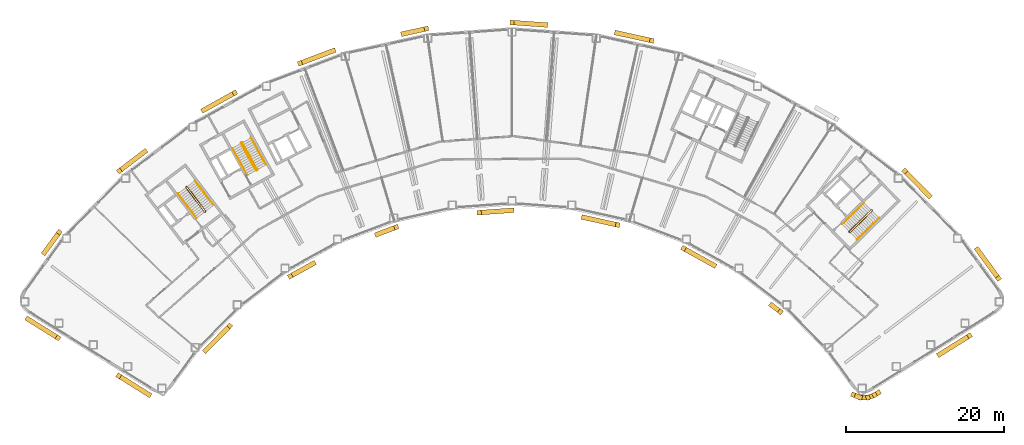
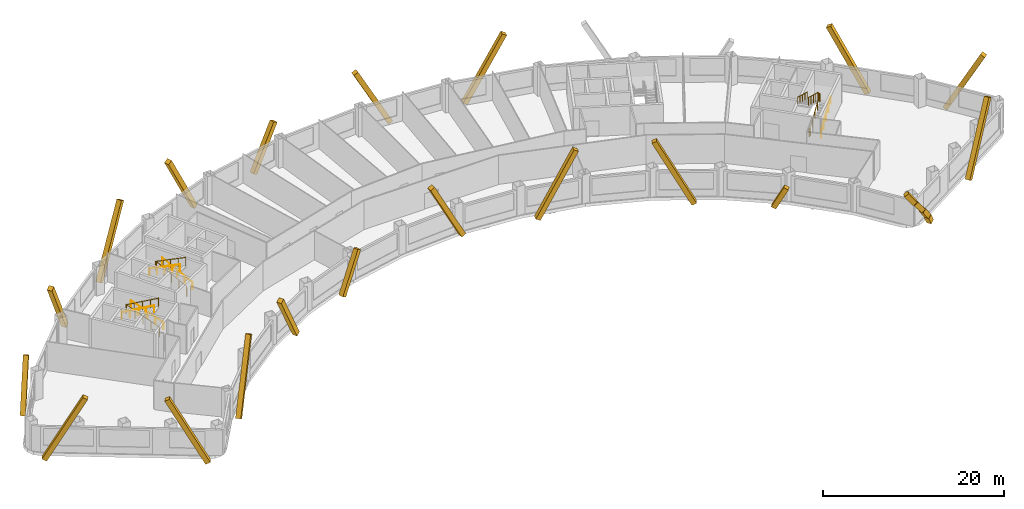
# One storey, part 10 of 11: 23 coverings, 9 railings.
"""IFC4 building model written with IfcOpenShell, lengths in metres."""

from ifc_helpers import new_model, si_unit, direction, frame, origin, origin_2d, place, context, subcontext, project, spatial, rectangle, circle, extrude, material, material_profile, profile_set, type_object, element, save


model = new_model("IFC4")

# Units and contexts
model_context = context("Model", 3, precision=1e-05, world=origin(), true_north=direction((0.0, 1.0)))
body_context = subcontext(model_context, "Body", "Model", "MODEL_VIEW")
ifc_project = project(units=[si_unit("LENGTHUNIT", "METRE"), si_unit("AREAUNIT", "SQUARE_METRE"), si_unit("VOLUMEUNIT", "CUBIC_METRE"), si_unit("PLANEANGLEUNIT", "RADIAN"), si_unit("MASSUNIT", "GRAM", prefix="KILO")], contexts=[model_context])

# Site, building, storey
site_placement = place(None, origin())
site = spatial("IfcSite", under=ifc_project, at=site_placement, CompositionType="ELEMENT")
building_placement = place(site_placement, origin())
building = spatial("IfcBuilding", under=site, at=building_placement, Name="Tuul Gate Civic Tower", CompositionType="ELEMENT")
storey_placement = place(building_placement, frame((0.0, 0.0, 138.199951171875)))
storey = spatial("IfcBuildingStorey", under=building, at=storey_placement, Name="Level 31", CompositionType="ELEMENT", Elevation=138.199951171875)

# Railings
ifc_material_1 = material(Name="Painted steel", Category="steel")
railing_type_1 = type_object("IfcRailingType", Name="Stair guard", PredefinedType="GUARDRAIL", material=ifc_material_1)
railing_1_placement = place(storey_placement, frame((-33.382080078125, -13.515380859375, 0.0)))
element("IfcRailing", 1, at=railing_1_placement, inside=storey, type_object=railing_type_1, Name="Level 31 ST-1 stair guard 1", PredefinedType="GUARDRAIL", context=body_context, shape_type="SweptSolid", body=[
    extrude(circle(Radius=0.02392578125, at=origin_2d()), frame((0.0, 0.0, 1.076171875), z_axis=(-0.795879841968, -0.605454603706, 0.0), x_axis=(0.605454603706, -0.795879841968, 0.0)), (0.0, 0.0, 1.0), 0.10009765625),
    extrude(circle(Radius=0.02392578125, at=origin_2d()), frame((-0.07958984375, -0.060546875, 1.076171875), z_axis=(0.408676696321, 0.599019267211, 0.688592241747), x_axis=(-0.826063974707, 0.563576356576, 0.0)), (0.0, 0.0, 1.0), 0.218017578125),
    extrude(circle(Radius=0.02392578125, at=origin_2d()), frame((0.009521484375, 0.070068359375, 1.22607421875), z_axis=(-0.541824460341, 0.711645023348, 0.447199748346), x_axis=(-0.795637165283, -0.60577347352, 0.0)), (0.0, 0.0, 1.0), 4.3603515625),
    extrude(circle(Radius=0.02392578125, at=origin_2d()), frame((-2.35302734375, 3.173095703125, 3.17626953125), z_axis=(-0.990893089246, 0.134650977284, 0.0), x_axis=(-0.134650977284, -0.990893089246, 0.0)), (0.0, 0.0, 1.0), 0.07080078125),
    extrude(circle(Radius=0.02392578125, at=origin_2d()), frame((-2.423095703125, 3.1826171875, 3.17626953125), z_axis=(-0.793802879778, -0.60817512943, 0.0), x_axis=(0.60817512943, -0.793802879778, 0.0)), (0.0, 0.0, 1.0), 0.099853515625),
    extrude(circle(Radius=0.02392578125, at=origin_2d()), frame((-2.50244140625, 3.121826171875, 3.17626953125), z_axis=(-0.057447065493, -0.422751481959, 0.904423031091), x_axis=(0.990893089246, -0.134650977284, 0.0)), (0.0, 0.0, 1.0), 0.165771484375),
    extrude(circle(Radius=0.02392578125, at=origin_2d()), frame((-2.511962890625, 3.0517578125, 3.326171875), z_axis=(0.541806494602, -0.71163897684, 0.447231136047), x_axis=(0.795644365679, 0.605764016233, 0.0)), (0.0, 0.0, 1.0), 4.360107421875),
    extrude(circle(Radius=0.02099609375, at=origin_2d()), origin(), (0.0, 0.0, 1.0), 1.052001953125),
    extrude(circle(Radius=0.02099609375, at=origin_2d()), frame((-0.07958984375, -0.060546875, 0.0)), (0.0, 0.0, 1.0), 1.052001953125),
    extrude(circle(Radius=0.02099609375, at=origin_2d()), frame((0.009521484375, 0.070068359375, 0.150146484375)), (0.0, 0.0, 1.0), 1.052001953125),
    extrude(circle(Radius=0.02099609375, at=origin_2d()), frame((-0.5810546875, 0.845703125, 0.6376953125)), (0.0, 0.0, 1.0), 1.052001953125),
    extrude(circle(Radius=0.02099609375, at=origin_2d()), frame((-1.171875, 1.62158203125, 1.125)), (0.0, 0.0, 1.0), 1.052001953125),
    extrude(circle(Radius=0.02099609375, at=origin_2d()), frame((-1.762451171875, 2.3974609375, 1.612548828125)), (0.0, 0.0, 1.0), 1.052001953125),
    extrude(circle(Radius=0.02099609375, at=origin_2d()), frame((-2.35302734375, 3.173095703125, 2.10009765625)), (0.0, 0.0, 1.0), 1.052001953125),
    extrude(circle(Radius=0.02099609375, at=origin_2d()), frame((-2.423095703125, 3.1826171875, 2.10009765625)), (0.0, 0.0, 1.0), 1.052001953125),
    extrude(circle(Radius=0.02099609375, at=origin_2d()), frame((-2.50244140625, 3.121826171875, 2.10009765625)), (0.0, 0.0, 1.0), 1.052001953125),
    extrude(circle(Radius=0.02099609375, at=origin_2d()), frame((-2.511962890625, 3.0517578125, 2.25)), (0.0, 0.0, 1.0), 1.052001953125),
    extrude(circle(Radius=0.02099609375, at=origin_2d()), frame((-1.92138671875, 2.276123046875, 2.737548828125)), (0.0, 0.0, 1.0), 1.052001953125),
    extrude(circle(Radius=0.02099609375, at=origin_2d()), frame((-1.330810546875, 1.50048828125, 3.22509765625)), (0.0, 0.0, 1.0), 1.052001953125),
    extrude(circle(Radius=0.02099609375, at=origin_2d()), frame((-0.740234375, 0.724609375, 3.71240234375)), (0.0, 0.0, 1.0), 1.052001953125),
    extrude(circle(Radius=0.02099609375, at=origin_2d()), frame((-0.149658203125, -0.051025390625, 4.199951171875)), (0.0, 0.0, 1.0), 1.052001953125),
])
railing_2_placement = place(storey_placement, frame((-26.857666015625, -8.247314453125, 0.0)))
element("IfcRailing", 2, at=railing_2_placement, inside=storey, type_object=railing_type_1, Name="Level 31 ST-2 stair guard 1", PredefinedType="GUARDRAIL", context=body_context, shape_type="SweptSolid", body=[
    extrude(circle(Radius=0.02392578125, at=origin_2d()), frame((0.0, 0.0, 1.076171875), z_axis=(-0.874616555828, -0.48481530532, 0.0), x_axis=(0.48481530532, -0.874616555828, 0.0)), (0.0, 0.0, 1.0), 0.10009765625),
    extrude(circle(Radius=0.02392578125, at=origin_2d()), frame((-0.087646484375, -0.048583984375, 1.076171875), z_axis=(0.490435707169, 0.534104639999, 0.688625479244), x_axis=(-0.736576986774, 0.676353711126, 0.0)), (0.0, 0.0, 1.0), 0.218017578125),
    extrude(circle(Radius=0.02392578125, at=origin_2d()), frame((0.019287109375, 0.06787109375, 1.22607421875), z_axis=(-0.43354991378, 0.782327185242, 0.447212083348), x_axis=(-0.874667644053, -0.484723129681, 0.0)), (0.0, 0.0, 1.0), 4.3603515625),
    extrude(circle(Radius=0.02392578125, at=origin_2d()), frame((-1.87109375, 3.47900390625, 3.17626953125), z_axis=(-0.961263487578, 0.275631107549, 0.0), x_axis=(-0.275631107549, -0.961263487578, 0.0)), (0.0, 0.0, 1.0), 0.07080078125),
    extrude(circle(Radius=0.02392578125, at=origin_2d()), frame((-1.939208984375, 3.49853515625, 3.17626953125), z_axis=(-0.874042088414, -0.485850211157, 0.0), x_axis=(0.485850211157, -0.874042088414, 0.0)), (0.0, 0.0, 1.0), 0.10009765625),
    extrude(circle(Radius=0.02392578125, at=origin_2d()), frame((-2.026611328125, 3.449951171875, 3.17626953125), z_axis=(-0.117866478395, -0.409586012422, 0.90462522168), x_axis=(0.961000426733, -0.276546885391, 0.0)), (0.0, 0.0, 1.0), 0.165771484375),
    extrude(circle(Radius=0.02392578125, at=origin_2d()), frame((-2.046142578125, 3.382080078125, 3.326171875), z_axis=(0.433595379963, -0.782308193291, 0.447201226726), x_axis=(0.874641102302, 0.484771020343, 0.0)), (0.0, 0.0, 1.0), 4.3603515625),
    extrude(circle(Radius=0.02099609375, at=origin_2d()), origin(), (0.0, 0.0, 1.0), 1.052001953125),
    extrude(circle(Radius=0.02099609375, at=origin_2d()), frame((-0.087646484375, -0.048583984375, 0.0)), (0.0, 0.0, 1.0), 1.052001953125),
    extrude(circle(Radius=0.02099609375, at=origin_2d()), frame((0.019287109375, 0.06787109375, 0.150146484375)), (0.0, 0.0, 1.0), 1.052001953125),
    extrude(circle(Radius=0.02099609375, at=origin_2d()), frame((-0.453369140625, 0.920654296875, 0.6376953125)), (0.0, 0.0, 1.0), 1.052001953125),
    extrude(circle(Radius=0.02099609375, at=origin_2d()), frame((-0.92578125, 1.7734375, 1.125)), (0.0, 0.0, 1.0), 1.052001953125),
    extrude(circle(Radius=0.02099609375, at=origin_2d()), frame((-1.3984375, 2.626220703125, 1.612548828125)), (0.0, 0.0, 1.0), 1.052001953125),
    extrude(circle(Radius=0.02099609375, at=origin_2d()), frame((-1.87109375, 3.47900390625, 2.10009765625)), (0.0, 0.0, 1.0), 1.052001953125),
    extrude(circle(Radius=0.02099609375, at=origin_2d()), frame((-1.939208984375, 3.49853515625, 2.10009765625)), (0.0, 0.0, 1.0), 1.052001953125),
    extrude(circle(Radius=0.02099609375, at=origin_2d()), frame((-2.026611328125, 3.449951171875, 2.10009765625)), (0.0, 0.0, 1.0), 1.052001953125),
    extrude(circle(Radius=0.02099609375, at=origin_2d()), frame((-2.046142578125, 3.382080078125, 2.25)), (0.0, 0.0, 1.0), 1.052001953125),
    extrude(circle(Radius=0.02099609375, at=origin_2d()), frame((-1.573486328125, 2.529296875, 2.737548828125)), (0.0, 0.0, 1.0), 1.052001953125),
    extrude(circle(Radius=0.02099609375, at=origin_2d()), frame((-1.100830078125, 1.676513671875, 3.22509765625)), (0.0, 0.0, 1.0), 1.052001953125),
    extrude(circle(Radius=0.02099609375, at=origin_2d()), frame((-0.628173828125, 0.82373046875, 3.71240234375)), (0.0, 0.0, 1.0), 1.052001953125),
    extrude(circle(Radius=0.02099609375, at=origin_2d()), frame((-0.155517578125, -0.029052734375, 4.199951171875)), (0.0, 0.0, 1.0), 1.052001953125),
])
railing_3_placement = place(storey_placement, frame((48.10546875, -16.134765625, 0.0)))
element("IfcRailing", 3, at=railing_3_placement, inside=storey, type_object=railing_type_1, Name="Level 31 ST-3 stair guard 1", PredefinedType="GUARDRAIL", context=body_context, shape_type="SweptSolid", body=[
    extrude(circle(Radius=0.02392578125, at=origin_2d()), frame((0.0, 0.0, 1.076171875), z_axis=(-0.698506948293, 0.715603272202, 0.0), x_axis=(-0.715603272202, -0.698506948293, 0.0)), (0.0, 0.0, 1.0), 0.099853515625),
    extrude(circle(Radius=0.02392578125, at=origin_2d()), frame((-0.06982421875, 0.071533203125, 1.076171875), z_axis=(0.644948864628, -0.331432055434, 0.688617277337), x_axis=(0.457068866502, 0.889431307788, 0.0)), (0.0, 0.0, 1.0), 0.218017578125),
    extrude(circle(Radius=0.02392578125, at=origin_2d()), frame((0.07080078125, -0.000732421875, 1.22607421875), z_axis=(0.638731261263, 0.626133563701, 0.447190268558), x_axis=(-0.700029477518, 0.714113947914, 0.0)), (0.0, 0.0, 1.0), 4.3603515625),
    extrude(circle(Radius=0.02392578125, at=origin_2d()), frame((2.85595703125, 2.7294921875, 3.17626953125), z_axis=(0.010380063588, 0.999946125689, 0.0), x_axis=(-0.999946125689, 0.010380063588, 0.0)), (0.0, 0.0, 1.0), 0.070556640625),
    extrude(circle(Radius=0.02392578125, at=origin_2d()), frame((2.856689453125, 2.800048828125, 3.17626953125), z_axis=(-0.699754442181, 0.714383454909, 0.0), x_axis=(-0.714383454909, -0.699754442181, 0.0)), (0.0, 0.0, 1.0), 0.10009765625),
    extrude(circle(Radius=0.02392578125, at=origin_2d()), frame((2.78662109375, 2.87158203125, 3.17626953125), z_axis=(-0.427069033481, 0.004417955519, 0.904208229508), x_axis=(-0.010344274102, -0.999946496565, 0.0)), (0.0, 0.0, 1.0), 0.165771484375),
    extrude(circle(Radius=0.02392578125, at=origin_2d()), frame((2.7158203125, 2.872314453125, 3.326171875), z_axis=(-0.638731261263, -0.626133563701, 0.447190268558), x_axis=(0.700029477518, -0.714113947914, 0.0)), (0.0, 0.0, 1.0), 4.3603515625),
    extrude(circle(Radius=0.02099609375, at=origin_2d()), origin(), (0.0, 0.0, 1.0), 1.052001953125),
    extrude(circle(Radius=0.02099609375, at=origin_2d()), frame((-0.06982421875, 0.071533203125, 0.0)), (0.0, 0.0, 1.0), 1.052001953125),
    extrude(circle(Radius=0.02099609375, at=origin_2d()), frame((0.07080078125, -0.000732421875, 0.150146484375)), (0.0, 0.0, 1.0), 1.052001953125),
    extrude(circle(Radius=0.02099609375, at=origin_2d()), frame((0.76708984375, 0.681884765625, 0.6376953125)), (0.0, 0.0, 1.0), 1.052001953125),
    extrude(circle(Radius=0.02099609375, at=origin_2d()), frame((1.46337890625, 1.3642578125, 1.125)), (0.0, 0.0, 1.0), 1.052001953125),
    extrude(circle(Radius=0.02099609375, at=origin_2d()), frame((2.15966796875, 2.046875, 1.612548828125)), (0.0, 0.0, 1.0), 1.052001953125),
    extrude(circle(Radius=0.02099609375, at=origin_2d()), frame((2.85595703125, 2.7294921875, 2.10009765625)), (0.0, 0.0, 1.0), 1.052001953125),
    extrude(circle(Radius=0.02099609375, at=origin_2d()), frame((2.856689453125, 2.800048828125, 2.10009765625)), (0.0, 0.0, 1.0), 1.052001953125),
    extrude(circle(Radius=0.02099609375, at=origin_2d()), frame((2.78662109375, 2.87158203125, 2.10009765625)), (0.0, 0.0, 1.0), 1.052001953125),
    extrude(circle(Radius=0.02099609375, at=origin_2d()), frame((2.7158203125, 2.872314453125, 2.25)), (0.0, 0.0, 1.0), 1.052001953125),
    extrude(circle(Radius=0.02099609375, at=origin_2d()), frame((2.01953125, 2.189697265625, 2.737548828125)), (0.0, 0.0, 1.0), 1.052001953125),
    extrude(circle(Radius=0.02099609375, at=origin_2d()), frame((1.3232421875, 1.50732421875, 3.22509765625)), (0.0, 0.0, 1.0), 1.052001953125),
    extrude(circle(Radius=0.02099609375, at=origin_2d()), frame((0.626953125, 0.82470703125, 3.71240234375)), (0.0, 0.0, 1.0), 1.052001953125),
    extrude(circle(Radius=0.02099609375, at=origin_2d()), frame((-0.0693359375, 0.14208984375, 4.199951171875)), (0.0, 0.0, 1.0), 1.052001953125),
])
ifc_material_2 = material(Name="Painted steel", Category="steel")
railing_type_2 = type_object("IfcRailingType", Name="Stair handrail", PredefinedType="HANDRAIL", material=ifc_material_2)
railing_4_placement = place(storey_placement, frame((-32.3779296875, -12.688232421875, 0.150146484375)))
element("IfcRailing", 4, at=railing_4_placement, inside=storey, type_object=railing_type_2, Name="Level 31 ST-1 stair handrail 1", PredefinedType="HANDRAIL", context=body_context, shape_type="SweptSolid", body=[
    extrude(circle(Radius=0.02392578125, at=origin_2d()), frame((0.0, 0.0, 0.8759765625), z_axis=(-0.541824460341, 0.711645023348, 0.447199748346), x_axis=(-0.795637165283, -0.60577347352, 0.0)), (0.0, 0.0, 1.0), 4.3603515625),
    extrude(circle(Radius=0.02099609375, at=origin_2d()), origin(), (0.0, 0.0, 1.0), 0.851806640625),
    extrude(circle(Radius=0.02099609375, at=origin_2d()), frame((-0.590576171875, 0.77587890625, 0.487548828125)), (0.0, 0.0, 1.0), 0.851806640625),
    extrude(circle(Radius=0.02099609375, at=origin_2d()), frame((-1.18115234375, 1.551513671875, 0.97509765625)), (0.0, 0.0, 1.0), 0.851806640625),
    extrude(circle(Radius=0.02099609375, at=origin_2d()), frame((-1.77197265625, 2.3271484375, 1.46240234375)), (0.0, 0.0, 1.0), 0.851806640625),
    extrude(circle(Radius=0.02099609375, at=origin_2d()), frame((-2.362548828125, 3.10302734375, 1.949951171875)), (0.0, 0.0, 1.0), 0.851806640625),
])
railing_5_placement = place(storey_placement, frame((-36.888671875, -11.220703125, 2.25)))
element("IfcRailing", 5, at=railing_5_placement, inside=storey, type_object=railing_type_2, Name="Level 31 ST-1 stair handrail 2", PredefinedType="HANDRAIL", context=body_context, shape_type="SweptSolid", body=[
    extrude(circle(Radius=0.02392578125, at=origin_2d()), frame((0.0, 0.0, 0.8759765625), z_axis=(0.541824460341, -0.711645023348, 0.447199748346), x_axis=(0.795637165283, 0.60577347352, 0.0)), (0.0, 0.0, 1.0), 4.3603515625),
    extrude(circle(Radius=0.02099609375, at=origin_2d()), origin(), (0.0, 0.0, 1.0), 0.851806640625),
    extrude(circle(Radius=0.02099609375, at=origin_2d()), frame((0.590576171875, -0.77587890625, 0.487548828125)), (0.0, 0.0, 1.0), 0.851806640625),
    extrude(circle(Radius=0.02099609375, at=origin_2d()), frame((1.18115234375, -1.551513671875, 0.97509765625)), (0.0, 0.0, 1.0), 0.851806640625),
    extrude(circle(Radius=0.02099609375, at=origin_2d()), frame((1.77197265625, -2.3271484375, 1.46240234375)), (0.0, 0.0, 1.0), 0.851806640625),
    extrude(circle(Radius=0.02099609375, at=origin_2d()), frame((2.362548828125, -3.10302734375, 1.949951171875)), (0.0, 0.0, 1.0), 0.851806640625),
])
railing_6_placement = place(storey_placement, frame((-25.744873046875, -7.573486328125, 0.150146484375)))
element("IfcRailing", 6, at=railing_6_placement, inside=storey, type_object=railing_type_2, Name="Level 31 ST-2 stair handrail 1", PredefinedType="HANDRAIL", context=body_context, shape_type="SweptSolid", body=[
    extrude(circle(Radius=0.02392578125, at=origin_2d()), frame((0.0, 0.0, 0.8759765625), z_axis=(-0.433595379963, 0.782308193291, 0.447201226726), x_axis=(-0.874641102302, -0.484771020343, 0.0)), (0.0, 0.0, 1.0), 4.3603515625),
    extrude(circle(Radius=0.02099609375, at=origin_2d()), origin(), (0.0, 0.0, 1.0), 0.851806640625),
    extrude(circle(Radius=0.02099609375, at=origin_2d()), frame((-0.47265625, 0.852783203125, 0.487548828125)), (0.0, 0.0, 1.0), 0.851806640625),
    extrude(circle(Radius=0.02099609375, at=origin_2d()), frame((-0.9453125, 1.70556640625, 0.97509765625)), (0.0, 0.0, 1.0), 0.851806640625),
    extrude(circle(Radius=0.02099609375, at=origin_2d()), frame((-1.41796875, 2.558349609375, 1.46240234375)), (0.0, 0.0, 1.0), 0.851806640625),
    extrude(circle(Radius=0.02099609375, at=origin_2d()), frame((-1.890625, 3.4111328125, 1.949951171875)), (0.0, 0.0, 1.0), 0.851806640625),
])
railing_7_placement = place(storey_placement, frame((-29.9970703125, -5.47119140625, 2.25)))
element("IfcRailing", 7, at=railing_7_placement, inside=storey, type_object=railing_type_2, Name="Level 31 ST-2 stair handrail 2", PredefinedType="HANDRAIL", context=body_context, shape_type="SweptSolid", body=[
    extrude(circle(Radius=0.02392578125, at=origin_2d()), frame((0.0, 0.0, 0.8759765625), z_axis=(0.433595379963, -0.782308193291, 0.447201226726), x_axis=(0.874641102302, 0.484771020343, 0.0)), (0.0, 0.0, 1.0), 4.3603515625),
    extrude(circle(Radius=0.02099609375, at=origin_2d()), origin(), (0.0, 0.0, 1.0), 0.851806640625),
    extrude(circle(Radius=0.02099609375, at=origin_2d()), frame((0.47265625, -0.852783203125, 0.487548828125)), (0.0, 0.0, 1.0), 0.851806640625),
    extrude(circle(Radius=0.02099609375, at=origin_2d()), frame((0.9453125, -1.70556640625, 0.97509765625)), (0.0, 0.0, 1.0), 0.851806640625),
    extrude(circle(Radius=0.02099609375, at=origin_2d()), frame((1.41796875, -2.558349609375, 1.46240234375)), (0.0, 0.0, 1.0), 0.851806640625),
    extrude(circle(Radius=0.02099609375, at=origin_2d()), frame((1.890625, -3.4111328125, 1.949951171875)), (0.0, 0.0, 1.0), 0.851806640625),
])
railing_8_placement = place(storey_placement, frame((49.05126953125, -17.028076171875, 0.150146484375)))
element("IfcRailing", 8, at=railing_8_placement, inside=storey, type_object=railing_type_2, Name="Level 31 ST-3 stair handrail 1", PredefinedType="HANDRAIL", context=body_context, shape_type="SweptSolid", body=[
    extrude(circle(Radius=0.02392578125, at=origin_2d()), frame((0.0, 0.0, 0.8759765625), z_axis=(0.638753653487, 0.626099522554, 0.447205945863), x_axis=(-0.699997553204, 0.714145241186, 0.0)), (0.0, 0.0, 1.0), 4.3603515625),
    extrude(circle(Radius=0.02099609375, at=origin_2d()), origin(), (0.0, 0.0, 1.0), 0.851806640625),
    extrude(circle(Radius=0.02099609375, at=origin_2d()), frame((0.6962890625, 0.6826171875, 0.487548828125)), (0.0, 0.0, 1.0), 0.851806640625),
    extrude(circle(Radius=0.02099609375, at=origin_2d()), frame((1.392578125, 1.364990234375, 0.97509765625)), (0.0, 0.0, 1.0), 0.851806640625),
    extrude(circle(Radius=0.02099609375, at=origin_2d()), frame((2.0888671875, 2.04736328125, 1.46240234375)), (0.0, 0.0, 1.0), 0.851806640625),
    extrude(circle(Radius=0.02099609375, at=origin_2d()), frame((2.78515625, 2.72998046875, 1.949951171875)), (0.0, 0.0, 1.0), 0.851806640625),
])
railing_9_placement = place(storey_placement, frame((49.9462890625, -12.369873046875, 2.25)))
element("IfcRailing", 9, at=railing_9_placement, inside=storey, type_object=railing_type_2, Name="Level 31 ST-3 stair handrail 2", PredefinedType="HANDRAIL", context=body_context, shape_type="SweptSolid", body=[
    extrude(circle(Radius=0.02392578125, at=origin_2d()), frame((0.0, 0.0, 0.8759765625), z_axis=(-0.638753653487, -0.626099522554, 0.447205945863), x_axis=(0.699997553204, -0.714145241186, 0.0)), (0.0, 0.0, 1.0), 4.3603515625),
    extrude(circle(Radius=0.02099609375, at=origin_2d()), origin(), (0.0, 0.0, 1.0), 0.851806640625),
    extrude(circle(Radius=0.02099609375, at=origin_2d()), frame((-0.6962890625, -0.6826171875, 0.487548828125)), (0.0, 0.0, 1.0), 0.851806640625),
    extrude(circle(Radius=0.02099609375, at=origin_2d()), frame((-1.392578125, -1.364990234375, 0.97509765625)), (0.0, 0.0, 1.0), 0.851806640625),
    extrude(circle(Radius=0.02099609375, at=origin_2d()), frame((-2.0888671875, -2.04736328125, 1.46240234375)), (0.0, 0.0, 1.0), 0.851806640625),
    extrude(circle(Radius=0.02099609375, at=origin_2d()), frame((-2.78515625, -2.72998046875, 1.949951171875)), (0.0, 0.0, 1.0), 0.851806640625),
])

# Coverings
ifc_material_3 = material(Name="Terracotta baguette", Category="masonry")
ifc_material_profile = material_profile(ifc_material_3, rectangle(XDim=0.60009765625, YDim=0.60009765625, at=origin_2d()), Name="Terracotta baguette screen frame")
ifc_profile_set = profile_set([ifc_material_profile], Name="Terracotta baguette")
covering_type = type_object("IfcCoveringType", Name="Terracotta baguette screen frame", PredefinedType="CLADDING", material=ifc_profile_set)
covering_1_placement = place(storey_placement, frame((59.436279296875, -31.59228515625, -0.349853515625), z_axis=(0.402317058192, 0.251358609748, 0.880318030028), x_axis=(-0.529863185224, 0.848083135633, 0.0)))
element("IfcCovering", 10, at=covering_1_placement, inside=storey, type_object=covering_type, Name="Baguette 1", PredefinedType="CLADDING", context=body_context, shape_type="SweptSolid", body=[
    extrude(rectangle(XDim=0.60009765625, YDim=0.60009765625, at=origin_2d()), origin(), (0.0, 0.0, 1.0), 9.5419921875),
])
covering_2_placement = place(storey_placement, frame((66.93359375, -21.952880859375, 8.050048828125), z_axis=(-0.281344263108, 0.385258232812, -0.878875133148), x_axis=(-0.807581408805, -0.589756109042, 0.0)))
element("IfcCovering", 11, at=covering_2_placement, inside=storey, type_object=covering_type, Name="Baguette 17", PredefinedType="CLADDING", context=body_context, shape_type="SweptSolid", body=[
    extrude(rectangle(XDim=0.60009765625, YDim=0.60009765625, at=origin_2d()), origin(), (0.0, 0.0, 1.0), 9.5576171875),
])
covering_3_placement = place(storey_placement, frame((55.067626953125, -8.357177734375, 7.88232421875), z_axis=(0.332633387091, -0.339313715568, -0.879898421535), x_axis=(0.714101368885, 0.700042309404, 0.0)))
element("IfcCovering", 12, at=covering_3_placement, inside=storey, type_object=covering_type, Name="Baguette 32", PredefinedType="CLADDING", context=body_context, shape_type="SweptSolid", body=[
    extrude(rectangle(XDim=0.60009765625, YDim=0.60009765625, at=origin_2d()), origin(), (0.0, 0.0, 1.0), 9.355712890625),
])
covering_4_placement = place(storey_placement, frame((23.056640625, 8.139404296875, 8.050048828125), z_axis=(-0.464037985813, 0.102244357524, -0.879894788641), x_axis=(-0.215174921103, -0.976575523617, 0.0)))
element("IfcCovering", 13, at=covering_4_placement, inside=storey, type_object=covering_type, Name="Baguette 59", PredefinedType="CLADDING", context=body_context, shape_type="SweptSolid", body=[
    extrude(rectangle(XDim=0.60009765625, YDim=0.60009765625, at=origin_2d()), origin(), (0.0, 0.0, 1.0), 9.54638671875),
])
covering_5_placement = place(storey_placement, frame((5.3740234375, 10.43505859375, 7.55126953125), z_axis=(0.47392073941, -0.034338930289, -0.879897704636), x_axis=(0.072267661138, 0.997385274181, 0.0)))
element("IfcCovering", 14, at=covering_5_placement, inside=storey, type_object=covering_type, Name="Baguette 74", PredefinedType="CLADDING", context=body_context, shape_type="SweptSolid", body=[
    extrude(rectangle(XDim=0.60009765625, YDim=0.60009765625, at=origin_2d()), origin(), (0.0, 0.0, 1.0), 8.9794921875),
])
covering_6_placement = place(storey_placement, frame((-5.448486328125, 9.651123046875, 5.255859375), z_axis=(-0.46403186969, -0.102279383946, -0.879893943343), x_axis=(0.21524792572, -0.976559435198, 0.0)))
element("IfcCovering", 15, at=covering_6_placement, inside=storey, type_object=covering_type, Name="Baguette 80", PredefinedType="CLADDING", context=body_context, shape_type="SweptSolid", body=[
    extrude(rectangle(XDim=0.60009765625, YDim=0.60009765625, at=origin_2d()), origin(), (0.0, 0.0, 1.0), 6.370849609375),
])
covering_7_placement = place(storey_placement, frame((-21.4560546875, 5.26953125, 8.050048828125), z_axis=(0.444449007562, 0.168071746228, -0.879895998284), x_axis=(-0.353711403676, 0.935354608108, 0.0)))
element("IfcCovering", 16, at=covering_7_placement, inside=storey, type_object=covering_type, Name="Baguette 95", PredefinedType="CLADDING", context=body_context, shape_type="SweptSolid", body=[
    extrude(rectangle(XDim=0.60009765625, YDim=0.60009765625, at=origin_2d()), origin(), (0.0, 0.0, 1.0), 9.54638671875),
])
covering_8_placement = place(storey_placement, frame((-29.69873046875, 1.535400390625, 8.050048828125), z_axis=(-0.415599156496, -0.23036842051, -0.879890750009), x_axis=(0.484806475071, -0.874621450531, 0.0)))
element("IfcCovering", 17, at=covering_8_placement, inside=storey, type_object=covering_type, Name="Baguette 101", PredefinedType="CLADDING", context=body_context, shape_type="SweptSolid", body=[
    extrude(rectangle(XDim=0.60009765625, YDim=0.60009765625, at=origin_2d()), origin(), (0.0, 0.0, 1.0), 9.546630859375),
])
covering_9_placement = place(storey_placement, frame((-44.319580078125, -8.357177734375, 7.220458984375), z_axis=(0.378058377927, 0.287849897598, -0.879894481931), x_axis=(-0.605784088949, 0.795629082913, 0.0)))
element("IfcCovering", 18, at=covering_9_placement, inside=storey, type_object=covering_type, Name="Baguette 116", PredefinedType="CLADDING", context=body_context, shape_type="SweptSolid", body=[
    extrude(rectangle(XDim=0.60009765625, YDim=0.60009765625, at=origin_2d()), origin(), (0.0, 0.0, 1.0), 8.603759765625),
])
covering_10_placement = place(storey_placement, frame((-51.91552734375, -16.105712890625, 5.586669921875), z_axis=(-0.281344187789, -0.385257926213, -0.878875291659), x_axis=(0.807581260464, -0.589756312173, 0.0)))
element("IfcCovering", 19, at=covering_10_placement, inside=storey, type_object=covering_type, Name="Baguette 122", PredefinedType="CLADDING", context=body_context, shape_type="SweptSolid", body=[
    extrude(rectangle(XDim=0.60009765625, YDim=0.60009765625, at=origin_2d()), origin(), (0.0, 0.0, 1.0), 6.754638671875),
])
for number, where, z_axis, x_axis, name in (
    (20, (-52.0712890625, -29.478515625, 8.050048828125), (-0.402314470661, 0.251382579131, -0.8803123682), (-0.529901976461, -0.848058898511, 0.0), "Baguette 149"),
    (21, (-44.393798828125, -34.27587890625, 8.050048828125), (0.402311882917, -0.25140654805, -0.880306705905), (0.529940764372, 0.848034661, 0.0), "Baguette 153"),
):
    element("IfcCovering", number, at=place(storey_placement, frame(where, z_axis=z_axis, x_axis=x_axis)), inside=storey, type_object=covering_type, Name=name, PredefinedType="CLADDING", context=body_context, shape_type="SweptSolid", body=[
        extrude(rectangle(XDim=0.60009765625, YDim=0.60009765625, at=origin_2d()), origin(), (0.0, 0.0, 1.0), 9.5419921875),
    ])
covering_11_placement = place(storey_placement, frame((-30.33349609375, -27.94580078125, 8.050048828125), z_axis=(-0.326330554035, -0.332887507095, -0.884700105755), x_axis=(0.714104738574, -0.700038872025, 0.0)))
element("IfcCovering", 22, at=covering_11_placement, inside=storey, type_object=covering_type, Name="Baguette 180", PredefinedType="CLADDING", context=body_context, shape_type="SweptSolid", body=[
    extrude(rectangle(XDim=0.60009765625, YDim=0.60009765625, at=origin_2d()), origin(), (0.0, 0.0, 1.0), 9.49462890625),
])
covering_12_placement = place(storey_placement, frame((-22.69482421875, -21.6796875, 6.062255859375), z_axis=(0.407693107451, 0.225994634214, -0.884710548962), x_axis=(-0.484820540629, 0.874613653783, 0.0)))
element("IfcCovering", 23, at=covering_12_placement, inside=storey, type_object=covering_type, Name="Baguette 187", PredefinedType="CLADDING", context=body_context, shape_type="SweptSolid", body=[
    extrude(rectangle(XDim=0.60009765625, YDim=0.60009765625, at=origin_2d()), origin(), (0.0, 0.0, 1.0), 7.247802734375),
])
covering_13_placement = place(storey_placement, frame((-9.2685546875, -15.459716796875, 4.5947265625), z_axis=(-0.436037648958, -0.16485735195, -0.884699509551), x_axis=(0.353648388587, -0.935378435314, 0.0)))
element("IfcCovering", 24, at=covering_13_placement, inside=storey, type_object=covering_type, Name="Baguette 205", PredefinedType="CLADDING", context=body_context, shape_type="SweptSolid", body=[
    extrude(rectangle(XDim=0.60009765625, YDim=0.60009765625, at=origin_2d()), origin(), (0.0, 0.0, 1.0), 5.589111328125),
])
covering_14_placement = place(storey_placement, frame((1.2216796875, -13.6279296875, 8.050048828125), z_axis=(0.464943150947, 0.033706191505, -0.884698682627), x_axis=(-0.072305541975, 0.997382528722, 0.0)))
element("IfcCovering", 25, at=covering_14_placement, inside=storey, type_object=covering_type, Name="Baguette 212", PredefinedType="CLADDING", context=body_context, shape_type="SweptSolid", body=[
    extrude(rectangle(XDim=0.60009765625, YDim=0.60009765625, at=origin_2d()), origin(), (0.0, 0.0, 1.0), 8.930908203125),
])
for number, where, z_axis, x_axis, name in (
    (26, (18.751708984375, -15.180908203125, 8.050048828125), (-0.455212630132, 0.10033551843, -0.884711390856), (-0.21524797351, -0.976559424664, 0.0), "Baguette 228"),
    (27, (27.07666015625, -18.150634765625, 8.050048828125), (0.407692626751, -0.225998769884, -0.884709714033), (0.484827764604, 0.874609649312, 0.0), "Baguette 236"),
):
    element("IfcCovering", number, at=place(storey_placement, frame(where, z_axis=z_axis, x_axis=x_axis)), inside=storey, type_object=covering_type, Name=name, PredefinedType="CLADDING", context=body_context, shape_type="SweptSolid", body=[
        extrude(rectangle(XDim=0.60009765625, YDim=0.60009765625, at=origin_2d()), origin(), (0.0, 0.0, 1.0), 9.49462890625),
    ])
covering_15_placement = place(storey_placement, frame((39.344482421875, -26.173828125, 2.343017578125), z_axis=(-0.370882914381, 0.282413222651, -0.884696917307), x_axis=(-0.605820279821, -0.795601526241, 0.0)))
element("IfcCovering", 28, at=covering_15_placement, inside=storey, type_object=covering_type, Name="Baguette 251", PredefinedType="CLADDING", context=body_context, shape_type="SweptSolid", body=[
    extrude(rectangle(XDim=0.60009765625, YDim=0.60009765625, at=origin_2d()), origin(), (0.0, 0.0, 1.0), 3.0439453125),
])
covering_16_placement = place(storey_placement, frame((48.540283203125, -36.667724609375, 4.611572265625), z_axis=(0.560318540515, -0.222072864534, -0.797951612564), x_axis=(0.36845020329, 0.929647485715, 0.0)))
element("IfcCovering", 29, at=covering_16_placement, inside=storey, type_object=covering_type, Name="Baguette 260", PredefinedType="CLADDING", context=body_context, shape_type="SweptSolid", body=[
    extrude(rectangle(XDim=0.60009765625, YDim=0.60009765625, at=origin_2d()), origin(), (0.0, 0.0, 1.0), 1.615966796875),
])
covering_17_placement = place(storey_placement, frame((49.44580078125, -37.026611328125, 3.322021484375), z_axis=(0.602487853654, -0.001663078141, -0.798126318555), x_axis=(0.002760340801, 0.999996190252, 0.0)))
element("IfcCovering", 30, at=covering_17_placement, inside=storey, type_object=covering_type, Name="Baguette 261", PredefinedType="CLADDING", context=body_context, shape_type="SweptSolid", body=[
    extrude(rectangle(XDim=0.60009765625, YDim=0.60009765625, at=origin_2d()), origin(), (0.0, 0.0, 1.0), 1.61474609375),
])
covering_18_placement = place(storey_placement, frame((50.418701171875, -37.029296875, 2.033203125), z_axis=(0.534206742162, 0.207876439336, -0.819396450198), x_axis=(-0.362642296801, 0.93192841172, 0.0)))
element("IfcCovering", 31, at=covering_18_placement, inside=storey, type_object=covering_type, Name="Baguette 262", PredefinedType="CLADDING", context=body_context, shape_type="SweptSolid", body=[
    extrude(rectangle(XDim=0.60009765625, YDim=0.60009765625, at=origin_2d()), origin(), (0.0, 0.0, 1.0), 1.572509765625),
])
covering_19_placement = place(storey_placement, frame((51.2587890625, -36.702392578125, 0.74462890625), z_axis=(0.402187670356, 0.251367293972, -0.880374670998), x_axis=(-0.529998940003, 0.847998304005, 0.0)))
element("IfcCovering", 32, at=covering_19_placement, inside=storey, type_object=covering_type, Name="Baguette 263", PredefinedType="CLADDING", context=body_context, shape_type="SweptSolid", body=[
    extrude(rectangle(XDim=0.60009765625, YDim=0.60009765625, at=origin_2d()), origin(), (0.0, 0.0, 1.0), 1.2431640625),
])

save(model, "model.ifc")
